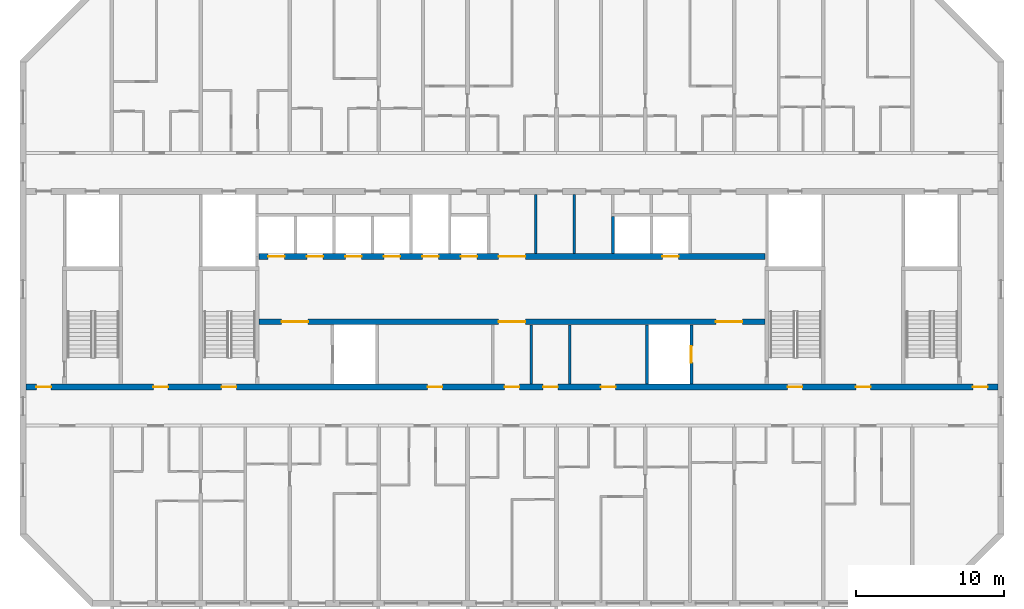
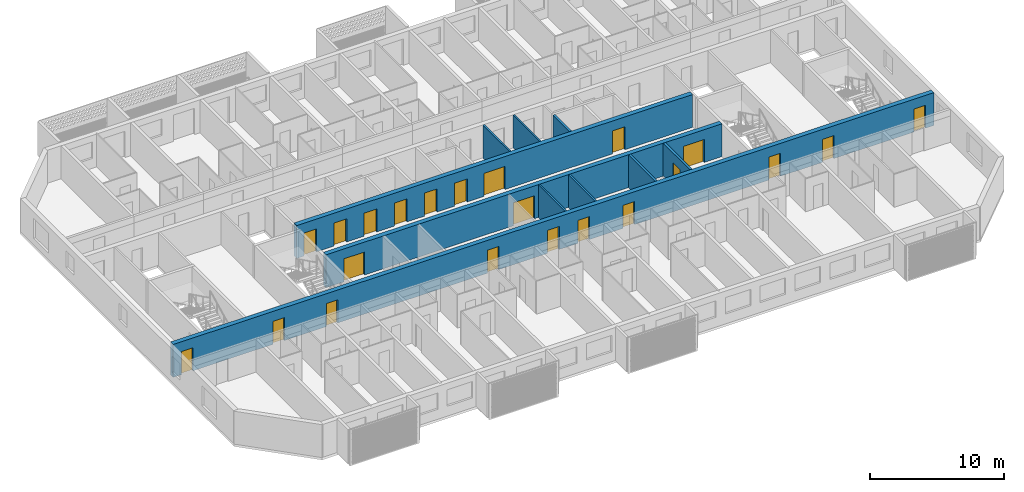
# One storey, part 6 of 27: 22 doors, 10 walls, 22 openings.
"""IFC4 building model written with IfcOpenShell, lengths in metres."""

from ifc_helpers import new_model, si_unit, direction, frame, frame_2d, origin, place, context, subcontext, project, spatial, rectangle, extrude, material, layer, layer_set, type_object, element, fill, save


model = new_model("IFC4")

# Units and contexts
model_context = context("Model", 3, precision=1e-05, world=origin(), true_north=direction((0.0, 1.0)))
body_context = subcontext(model_context, "Body", "Model", "MODEL_VIEW")
ifc_project = project(units=[si_unit("LENGTHUNIT", "METRE"), si_unit("AREAUNIT", "SQUARE_METRE"), si_unit("VOLUMEUNIT", "CUBIC_METRE"), si_unit("PLANEANGLEUNIT", "RADIAN"), si_unit("MASSUNIT", "GRAM", prefix="KILO")], contexts=[model_context])

# Site, building, storey
site_placement = place(None, origin())
site = spatial("IfcSite", under=ifc_project, at=site_placement, CompositionType="ELEMENT")
building_placement = place(site_placement, origin())
building = spatial("IfcBuilding", under=site, at=building_placement, Name="Poui Terraces", CompositionType="ELEMENT")
storey_placement = place(building_placement, frame((0.0, 0.0, 208.199951171875)))
storey = spatial("IfcBuildingStorey", under=building, at=storey_placement, Name="L58", CompositionType="ELEMENT", Elevation=208.199951171875)

# Wall, openings, doors
ifc_material_1 = material(Name="Concrete 50 MPa", Category="concrete")
ifc_layer_1 = layer(ifc_material_1, 0.39990234375)
ifc_layer_set_1 = layer_set([ifc_layer_1], Name="Concrete 50 MPa")
wall_type_1 = type_object("IfcWallType", Name="CORE WALL 400 50 MPA", PredefinedType="SOLIDWALL", material=ifc_layer_set_1)
wall_1_placement = place(storey_placement, frame((33.925048828125, 19.0, 0.0), z_axis=(0.0, 0.0, 1.0), x_axis=(1.0, 0.0, 0.0)))
wall_1 = element("IfcWall", 1, at=wall_1_placement, inside=storey, type_object=wall_type_1, Name="CORE WALL", PredefinedType="SOLIDWALL", context=body_context, shape_type="SweptSolid", body=[
    extrude(rectangle(XDim=34.14990234375, YDim=0.39990234375, at=frame_2d((17.074951171875, 0.0))), origin(), (0.0, 0.0, 1.0), 3.0),
])
opening_1_placement = place(wall_1_placement, frame((16.175048828125, 0.0, 0.0)))
opening_1 = element("IfcOpeningElement", 2, at=opening_1_placement, cuts=wall_1, Name="Opening FDD60", PredefinedType="OPENING", context=body_context, shape_type="SweptSolid", body=[
    extrude(rectangle(XDim=1.800048828125, YDim=2.10009765625, at=frame_2d((0.89990234375, 1.050048828125))), frame((0.0, 0.2099609375, 0.0), z_axis=(0.0, -1.0, 0.0), x_axis=(1.0, 0.0, 0.0)), (0.0, 0.0, 1.0), 0.419921875),
])
opening_2_placement = place(wall_1_placement, frame((1.52490234375, 0.0, 0.0)))
opening_2 = element("IfcOpeningElement", 3, at=opening_2_placement, cuts=wall_1, Name="Opening FDD60", PredefinedType="OPENING", context=body_context, shape_type="SweptSolid", body=[
    extrude(rectangle(XDim=1.800048828125, YDim=2.10009765625, at=frame_2d((0.89990234375, 1.050048828125))), frame((0.0, 0.2099609375, 0.0), z_axis=(0.0, -1.0, 0.0), x_axis=(1.0, 0.0, 0.0)), (0.0, 0.0, 1.0), 0.419921875),
])
opening_3_placement = place(wall_1_placement, frame((30.824951171875, 0.0, 0.0)))
opening_3 = element("IfcOpeningElement", 4, at=opening_3_placement, cuts=wall_1, Name="Opening FDD60", PredefinedType="OPENING", context=body_context, shape_type="SweptSolid", body=[
    extrude(rectangle(XDim=1.800048828125, YDim=2.10009765625, at=frame_2d((0.89990234375, 1.050048828125))), frame((0.0, 0.2099609375, 0.0), z_axis=(0.0, -1.0, 0.0), x_axis=(1.0, 0.0, 0.0)), (0.0, 0.0, 1.0), 0.419921875),
])
ifc_material_2 = material(Name="Steel fire door", Category="steel")
door_type_1 = type_object("IfcDoorType", Name="DOUBLE LOBBY FIRE DOOR 1800 X 2100", OperationType="DOUBLE_DOOR_SINGLE_SWING", PredefinedType="DOOR", material=ifc_material_2)
door_1_placement = place(opening_1_placement, frame((1.800048828125, 0.0, 0.0), z_axis=(0.0, 0.0, 1.0), x_axis=(-1.0, 0.0, 0.0)))
door_1 = element("IfcDoor", 5, at=door_1_placement, inside=storey, type_object=door_type_1, Name="DOUBLE LOBBY FIRE DOOR 107", OperationType="DOUBLE_DOOR_SINGLE_SWING", OverallHeight=2.10009765625, OverallWidth=1.800048828125, PredefinedType="DOOR", context=body_context, shape_type="SweptSolid", body=[
    extrude(rectangle(XDim=1.800048828125, YDim=2.10009765625, at=frame_2d((0.89990234375, 1.050048828125))), frame((0.0, 0.02490234375, 0.0), z_axis=(0.0, -1.0, 0.0), x_axis=(1.0, 0.0, 0.0)), (0.0, 0.0, 1.0), 0.050048828125),
])
fill(opening_1, door_1)
door_2_placement = place(opening_2_placement, origin())
door_2 = element("IfcDoor", 6, at=door_2_placement, inside=storey, type_object=door_type_1, Name="DOUBLE LOBBY FIRE DOOR 109", OperationType="DOUBLE_DOOR_SINGLE_SWING", OverallHeight=2.10009765625, OverallWidth=1.800048828125, PredefinedType="DOOR", context=body_context, shape_type="SweptSolid", body=[
    extrude(rectangle(XDim=1.800048828125, YDim=2.10009765625, at=frame_2d((0.89990234375, 1.050048828125))), frame((0.0, 0.02490234375, 0.0), z_axis=(0.0, -1.0, 0.0), x_axis=(1.0, 0.0, 0.0)), (0.0, 0.0, 1.0), 0.050048828125),
])
fill(opening_2, door_2)
door_3_placement = place(opening_3_placement, origin())
door_3 = element("IfcDoor", 7, at=door_3_placement, inside=storey, type_object=door_type_1, Name="DOUBLE LOBBY FIRE DOOR 116", OperationType="DOUBLE_DOOR_SINGLE_SWING", OverallHeight=2.10009765625, OverallWidth=1.800048828125, PredefinedType="DOOR", context=body_context, shape_type="SweptSolid", body=[
    extrude(rectangle(XDim=1.800048828125, YDim=2.10009765625, at=frame_2d((0.89990234375, 1.050048828125))), frame((0.0, 0.02490234375, 0.0), z_axis=(0.0, -1.0, 0.0), x_axis=(1.0, 0.0, 0.0)), (0.0, 0.0, 1.0), 0.050048828125),
])
fill(opening_3, door_3)

wall_2_placement = place(storey_placement, frame((33.925048828125, 23.39990234375, 0.0), z_axis=(0.0, 0.0, 1.0), x_axis=(1.0, 0.0, 0.0)))
wall_2 = element("IfcWall", 8, at=wall_2_placement, inside=storey, type_object=wall_type_1, Name="CORE WALL", PredefinedType="SOLIDWALL", context=body_context, shape_type="SweptSolid", body=[
    extrude(rectangle(XDim=34.14990234375, YDim=0.39990234375, at=frame_2d((17.074951171875, 0.0))), origin(), (0.0, 0.0, 1.0), 3.0),
])
opening_4_placement = place(wall_2_placement, frame((16.175048828125, 0.0, 0.0)))
opening_4 = element("IfcOpeningElement", 9, at=opening_4_placement, cuts=wall_2, Name="Opening FDD60", PredefinedType="OPENING", context=body_context, shape_type="SweptSolid", body=[
    extrude(rectangle(XDim=1.800048828125, YDim=2.10009765625, at=frame_2d((0.89990234375, 1.050048828125))), frame((0.0, 0.2099609375, 0.0), z_axis=(0.0, -1.0, 0.0), x_axis=(1.0, 0.0, 0.0)), (0.0, 0.0, 1.0), 0.419921875),
])
opening_5_placement = place(wall_2_placement, frame((0.625, 0.0, 0.0)))
opening_5 = element("IfcOpeningElement", 10, at=opening_5_placement, cuts=wall_2, Name="Opening LD", PredefinedType="OPENING", context=body_context, shape_type="SweptSolid", body=[
    extrude(rectangle(XDim=1.10009765625, YDim=2.10009765625, at=frame_2d((0.550048828125, 1.050048828125))), frame((0.0, 0.2099609375, 0.0), z_axis=(0.0, -1.0, 0.0), x_axis=(1.0, 0.0, 0.0)), (0.0, 0.0, 1.0), 0.419921875),
])
opening_6_placement = place(wall_2_placement, frame((3.22509765625, 0.0, 0.0)))
opening_6 = element("IfcOpeningElement", 11, at=opening_6_placement, cuts=wall_2, Name="Opening LD", PredefinedType="OPENING", context=body_context, shape_type="SweptSolid", body=[
    extrude(rectangle(XDim=1.10009765625, YDim=2.10009765625, at=frame_2d((0.550048828125, 1.050048828125))), frame((0.0, 0.2099609375, 0.0), z_axis=(0.0, -1.0, 0.0), x_axis=(1.0, 0.0, 0.0)), (0.0, 0.0, 1.0), 0.419921875),
])
opening_7_placement = place(wall_2_placement, frame((5.824951171875, 0.0, 0.0)))
opening_7 = element("IfcOpeningElement", 12, at=opening_7_placement, cuts=wall_2, Name="Opening LD", PredefinedType="OPENING", context=body_context, shape_type="SweptSolid", body=[
    extrude(rectangle(XDim=1.10009765625, YDim=2.10009765625, at=frame_2d((0.550048828125, 1.050048828125))), frame((0.0, 0.2099609375, 0.0), z_axis=(0.0, -1.0, 0.0), x_axis=(1.0, 0.0, 0.0)), (0.0, 0.0, 1.0), 0.419921875),
])
opening_8_placement = place(wall_2_placement, frame((8.425048828125, 0.0, 0.0)))
opening_8 = element("IfcOpeningElement", 13, at=opening_8_placement, cuts=wall_2, Name="Opening LD", PredefinedType="OPENING", context=body_context, shape_type="SweptSolid", body=[
    extrude(rectangle(XDim=1.10009765625, YDim=2.10009765625, at=frame_2d((0.550048828125, 1.050048828125))), frame((0.0, 0.2099609375, 0.0), z_axis=(0.0, -1.0, 0.0), x_axis=(1.0, 0.0, 0.0)), (0.0, 0.0, 1.0), 0.419921875),
])
opening_9_placement = place(wall_2_placement, frame((11.02490234375, 0.0, 0.0)))
opening_9 = element("IfcOpeningElement", 14, at=opening_9_placement, cuts=wall_2, Name="Opening LD", PredefinedType="OPENING", context=body_context, shape_type="SweptSolid", body=[
    extrude(rectangle(XDim=1.10009765625, YDim=2.10009765625, at=frame_2d((0.550048828125, 1.050048828125))), frame((0.0, 0.2099609375, 0.0), z_axis=(0.0, -1.0, 0.0), x_axis=(1.0, 0.0, 0.0)), (0.0, 0.0, 1.0), 0.419921875),
])
opening_10_placement = place(wall_2_placement, frame((13.625, 0.0, 0.0)))
opening_10 = element("IfcOpeningElement", 15, at=opening_10_placement, cuts=wall_2, Name="Opening LD", PredefinedType="OPENING", context=body_context, shape_type="SweptSolid", body=[
    extrude(rectangle(XDim=1.10009765625, YDim=2.10009765625, at=frame_2d((0.550048828125, 1.050048828125))), frame((0.0, 0.2099609375, 0.0), z_axis=(0.0, -1.0, 0.0), x_axis=(1.0, 0.0, 0.0)), (0.0, 0.0, 1.0), 0.419921875),
])
opening_11_placement = place(wall_2_placement, frame((27.22509765625, 0.0, 0.0)))
opening_11 = element("IfcOpeningElement", 16, at=opening_11_placement, cuts=wall_2, Name="Opening LD", PredefinedType="OPENING", context=body_context, shape_type="SweptSolid", body=[
    extrude(rectangle(XDim=1.10009765625, YDim=2.10009765625, at=frame_2d((0.550048828125, 1.050048828125))), frame((0.0, 0.2099609375, 0.0), z_axis=(0.0, -1.0, 0.0), x_axis=(1.0, 0.0, 0.0)), (0.0, 0.0, 1.0), 0.419921875),
])
door_4_placement = place(opening_4_placement, origin())
door_4 = element("IfcDoor", 17, at=door_4_placement, inside=storey, type_object=door_type_1, Name="DOUBLE LOBBY FIRE DOOR 106", OperationType="DOUBLE_DOOR_SINGLE_SWING", OverallHeight=2.10009765625, OverallWidth=1.800048828125, PredefinedType="DOOR", context=body_context, shape_type="SweptSolid", body=[
    extrude(rectangle(XDim=1.800048828125, YDim=2.10009765625, at=frame_2d((0.89990234375, 1.050048828125))), frame((0.0, 0.02490234375, 0.0), z_axis=(0.0, -1.0, 0.0), x_axis=(1.0, 0.0, 0.0)), (0.0, 0.0, 1.0), 0.050048828125),
])
fill(opening_4, door_4)
ifc_material_3 = material(Name="Stainless steel sliding door", Category="steel")
door_type_2 = type_object("IfcDoorType", Name="LIFT LANDING DOOR 1100 X 2100", OperationType="DOUBLE_DOOR_SLIDING", PredefinedType="DOOR", material=ifc_material_3)
door_5_placement = place(opening_5_placement, origin())
door_5 = element("IfcDoor", 18, at=door_5_placement, inside=storey, type_object=door_type_2, Name="LANDING DOOR", OperationType="DOUBLE_DOOR_SLIDING", OverallHeight=2.10009765625, OverallWidth=1.10009765625, PredefinedType="DOOR", context=body_context, shape_type="SweptSolid", body=[
    extrude(rectangle(XDim=1.10009765625, YDim=2.10009765625, at=frame_2d((0.550048828125, 1.050048828125))), frame((0.0, 0.02490234375, 0.0), z_axis=(0.0, -1.0, 0.0), x_axis=(1.0, 0.0, 0.0)), (0.0, 0.0, 1.0), 0.050048828125),
])
fill(opening_5, door_5)
door_6_placement = place(opening_6_placement, origin())
door_6 = element("IfcDoor", 19, at=door_6_placement, inside=storey, type_object=door_type_2, Name="LANDING DOOR", OperationType="DOUBLE_DOOR_SLIDING", OverallHeight=2.10009765625, OverallWidth=1.10009765625, PredefinedType="DOOR", context=body_context, shape_type="SweptSolid", body=[
    extrude(rectangle(XDim=1.10009765625, YDim=2.10009765625, at=frame_2d((0.550048828125, 1.050048828125))), frame((0.0, 0.02490234375, 0.0), z_axis=(0.0, -1.0, 0.0), x_axis=(1.0, 0.0, 0.0)), (0.0, 0.0, 1.0), 0.050048828125),
])
fill(opening_6, door_6)
door_7_placement = place(opening_7_placement, origin())
door_7 = element("IfcDoor", 20, at=door_7_placement, inside=storey, type_object=door_type_2, Name="LANDING DOOR", OperationType="DOUBLE_DOOR_SLIDING", OverallHeight=2.10009765625, OverallWidth=1.10009765625, PredefinedType="DOOR", context=body_context, shape_type="SweptSolid", body=[
    extrude(rectangle(XDim=1.10009765625, YDim=2.10009765625, at=frame_2d((0.550048828125, 1.050048828125))), frame((0.0, 0.02490234375, 0.0), z_axis=(0.0, -1.0, 0.0), x_axis=(1.0, 0.0, 0.0)), (0.0, 0.0, 1.0), 0.050048828125),
])
fill(opening_7, door_7)
door_8_placement = place(opening_8_placement, origin())
door_8 = element("IfcDoor", 21, at=door_8_placement, inside=storey, type_object=door_type_2, Name="LANDING DOOR", OperationType="DOUBLE_DOOR_SLIDING", OverallHeight=2.10009765625, OverallWidth=1.10009765625, PredefinedType="DOOR", context=body_context, shape_type="SweptSolid", body=[
    extrude(rectangle(XDim=1.10009765625, YDim=2.10009765625, at=frame_2d((0.550048828125, 1.050048828125))), frame((0.0, 0.02490234375, 0.0), z_axis=(0.0, -1.0, 0.0), x_axis=(1.0, 0.0, 0.0)), (0.0, 0.0, 1.0), 0.050048828125),
])
fill(opening_8, door_8)
door_9_placement = place(opening_9_placement, origin())
door_9 = element("IfcDoor", 22, at=door_9_placement, inside=storey, type_object=door_type_2, Name="LANDING DOOR", OperationType="DOUBLE_DOOR_SLIDING", OverallHeight=2.10009765625, OverallWidth=1.10009765625, PredefinedType="DOOR", context=body_context, shape_type="SweptSolid", body=[
    extrude(rectangle(XDim=1.10009765625, YDim=2.10009765625, at=frame_2d((0.550048828125, 1.050048828125))), frame((0.0, 0.02490234375, 0.0), z_axis=(0.0, -1.0, 0.0), x_axis=(1.0, 0.0, 0.0)), (0.0, 0.0, 1.0), 0.050048828125),
])
fill(opening_9, door_9)
door_10_placement = place(opening_10_placement, origin())
door_10 = element("IfcDoor", 23, at=door_10_placement, inside=storey, type_object=door_type_2, Name="LANDING DOOR", OperationType="DOUBLE_DOOR_SLIDING", OverallHeight=2.10009765625, OverallWidth=1.10009765625, PredefinedType="DOOR", context=body_context, shape_type="SweptSolid", body=[
    extrude(rectangle(XDim=1.10009765625, YDim=2.10009765625, at=frame_2d((0.550048828125, 1.050048828125))), frame((0.0, 0.02490234375, 0.0), z_axis=(0.0, -1.0, 0.0), x_axis=(1.0, 0.0, 0.0)), (0.0, 0.0, 1.0), 0.050048828125),
])
fill(opening_10, door_10)
door_11_placement = place(opening_11_placement, origin())
door_11 = element("IfcDoor", 24, at=door_11_placement, inside=storey, type_object=door_type_2, Name="LANDING DOOR", OperationType="DOUBLE_DOOR_SLIDING", OverallHeight=2.10009765625, OverallWidth=1.10009765625, PredefinedType="DOOR", context=body_context, shape_type="SweptSolid", body=[
    extrude(rectangle(XDim=1.10009765625, YDim=2.10009765625, at=frame_2d((0.550048828125, 1.050048828125))), frame((0.0, 0.02490234375, 0.0), z_axis=(0.0, -1.0, 0.0), x_axis=(1.0, 0.0, 0.0)), (0.0, 0.0, 1.0), 0.050048828125),
])
fill(opening_11, door_11)

# Walls
ifc_material_4 = material(Name="Fire-rated plasterboard wall")
ifc_layer_2 = layer(ifc_material_4, 0.14990234375)
ifc_layer_set_2 = layer_set([ifc_layer_2], Name="Fire-rated plasterboard wall")
wall_type_2 = type_object("IfcWallType", Name="CORRIDOR WALL 150", PredefinedType="PARTITIONING", material=ifc_layer_set_2)
for number, where, z_axis, x_axis, name in (
    (25, (52.300048828125, 14.81005859375, 0.0), (0.0, 0.0, 1.0), (0.0, 1.0, 0.0), "CORRIDOR WALL 150"),
    (26, (52.60009765625, 23.610107421875, 0.0), (0.0, 0.0, 1.0), (0.0, 1.0, 0.0), "CORRIDOR WALL 150"),
):
    element("IfcWall", number, at=place(storey_placement, frame(where, z_axis=z_axis, x_axis=x_axis)), inside=storey, type_object=wall_type_2, Name=name, PredefinedType="PARTITIONING", context=body_context, shape_type="SweptSolid", body=[
        extrude(rectangle(XDim=3.97998046875, YDim=0.14990234375, at=frame_2d((1.989990234375, 0.0))), origin(), (0.0, 0.0, 1.0), 3.0),
    ])
ifc_material_5 = material(Name="Plasterboard partition")
ifc_layer_3 = layer(ifc_material_5, 0.14990234375)
ifc_layer_set_3 = layer_set([ifc_layer_3], Name="Plasterboard partition")
wall_type_3 = type_object("IfcWallType", Name="PARTITION WALL 150", PredefinedType="PARTITIONING", material=ifc_layer_set_3)
for number, where, z_axis, x_axis, name in (
    (27, (54.89990234375, 14.81005859375, 0.0), (0.0, 0.0, 1.0), (0.0, 1.0, 0.0), "PARTITION WALL 150"),
    (28, (55.199951171875, 23.610107421875, 0.0), (0.0, 0.0, 1.0), (0.0, 1.0, 0.0), "PARTITION WALL 150"),
):
    element("IfcWall", number, at=place(storey_placement, frame(where, z_axis=z_axis, x_axis=x_axis)), inside=storey, type_object=wall_type_3, Name=name, PredefinedType="PARTITIONING", context=body_context, shape_type="SweptSolid", body=[
        extrude(rectangle(XDim=3.97998046875, YDim=0.14990234375, at=frame_2d((1.989990234375, 0.0))), origin(), (0.0, 0.0, 1.0), 3.0),
    ])
ifc_material_6 = material(Name="Fire-rated masonry shaft wall", Category="masonry")
ifc_layer_4 = layer(ifc_material_6, 0.199951171875)
ifc_layer_set_4 = layer_set([ifc_layer_4], Name="Fire-rated masonry shaft wall")
wall_type_4 = type_object("IfcWallType", Name="SHAFT WALL 200", PredefinedType="PARTITIONING", material=ifc_layer_set_4)
wall_3_placement = place(storey_placement, frame((57.800048828125, 23.610107421875, 0.0), z_axis=(0.0, 0.0, 1.0), x_axis=(0.0, 1.0, 0.0)))
element("IfcWall", 29, at=wall_3_placement, inside=storey, type_object=wall_type_4, Name="SHAFT WALL 200", PredefinedType="PARTITIONING", context=body_context, shape_type="SweptSolid", body=[
    extrude(rectangle(XDim=2.489990234375, YDim=0.199951171875, at=frame_2d((1.2451171875, 0.0))), origin(), (0.0, 0.0, 1.0), 3.0),
])
wall_4_placement = place(storey_placement, frame((60.10009765625, 14.81005859375, 0.0), z_axis=(0.0, 0.0, 1.0), x_axis=(0.0, 1.0, 0.0)))
element("IfcWall", 30, at=wall_4_placement, inside=storey, type_object=wall_type_4, Name="SHAFT WALL 200", PredefinedType="PARTITIONING", context=body_context, shape_type="SweptSolid", body=[
    extrude(rectangle(XDim=3.97998046875, YDim=0.199951171875, at=frame_2d((1.989990234375, 0.0))), origin(), (0.0, 0.0, 1.0), 3.0),
])

# Wall, opening, door
wall_5_placement = place(storey_placement, frame((63.10009765625, 14.81005859375, 0.0), z_axis=(0.0, 0.0, 1.0), x_axis=(0.0, 1.0, 0.0)))
wall_5 = element("IfcWall", 31, at=wall_5_placement, inside=storey, type_object=wall_type_4, Name="SHAFT WALL 200", PredefinedType="PARTITIONING", context=body_context, shape_type="SweptSolid", body=[
    extrude(rectangle(XDim=3.97998046875, YDim=0.199951171875, at=frame_2d((1.989990234375, 0.0))), origin(), (0.0, 0.0, 1.0), 3.0),
])
opening_12_placement = place(wall_5_placement, frame((1.43994140625, 0.0, 0.0)))
opening_12 = element("IfcOpeningElement", 32, at=opening_12_placement, cuts=wall_5, Name="Opening LD", PredefinedType="OPENING", context=body_context, shape_type="SweptSolid", body=[
    extrude(rectangle(XDim=1.10009765625, YDim=2.10009765625, at=frame_2d((0.550048828125, 1.050048828125))), frame((0.0, 0.10986328125, 0.0), z_axis=(0.0, -1.0, 0.0), x_axis=(1.0, 0.0, 0.0)), (0.0, 0.0, 1.0), 0.219970703125),
])
door_12_placement = place(opening_12_placement, origin())
door_12 = element("IfcDoor", 33, at=door_12_placement, inside=storey, type_object=door_type_2, Name="LANDING DOOR", OperationType="DOUBLE_DOOR_SLIDING", OverallHeight=2.10009765625, OverallWidth=1.10009765625, PredefinedType="DOOR", context=body_context, shape_type="SweptSolid", body=[
    extrude(rectangle(XDim=1.10009765625, YDim=2.10009765625, at=frame_2d((0.550048828125, 1.050048828125))), frame((0.0, 0.02490234375, 0.0), z_axis=(0.0, -1.0, 0.0), x_axis=(1.0, 0.0, 0.0)), (0.0, 0.0, 1.0), 0.050048828125),
])
fill(opening_12, door_12)

# Wall, openings, doors
ifc_layer_5 = layer(ifc_material_1, 0.39990234375)
ifc_layer_set_5 = layer_set([ifc_layer_5], Name="Concrete 50 MPa")
wall_type_5 = type_object("IfcWallType", Name="SPINE WALL 400 50 MPA", PredefinedType="SOLIDWALL", material=ifc_layer_set_5)
wall_6_placement = place(storey_placement, frame((18.199951171875, 14.60009765625, 0.0), z_axis=(0.0, 0.0, 1.0), x_axis=(1.0, 0.0, 0.0)))
wall_6 = element("IfcWall", 34, at=wall_6_placement, inside=storey, type_object=wall_type_5, Name="SPINE WALL", PredefinedType="SOLIDWALL", context=body_context, shape_type="SweptSolid", body=[
    extrude(rectangle(XDim=65.60009765625, YDim=0.39990234375, at=frame_2d((32.800048828125, 0.0))), origin(), (0.0, 0.0, 1.0), 3.0),
])
opening_13_placement = place(wall_6_placement, frame((0.699951171875, 0.0, 0.0)))
opening_13 = element("IfcOpeningElement", 35, at=opening_13_placement, cuts=wall_6, Name="Opening FDL", PredefinedType="OPENING", context=body_context, shape_type="SweptSolid", body=[
    extrude(rectangle(XDim=1.0, YDim=2.10009765625, at=frame_2d((0.5, 1.050048828125))), frame((0.0, 0.2099609375, 0.0), z_axis=(0.0, -1.0, 0.0), x_axis=(1.0, 0.0, 0.0)), (0.0, 0.0, 1.0), 0.419921875),
])
opening_14_placement = place(wall_6_placement, frame((8.60009765625, 0.0, 0.0)))
opening_14 = element("IfcOpeningElement", 36, at=opening_14_placement, cuts=wall_6, Name="Opening D100", PredefinedType="OPENING", context=body_context, shape_type="SweptSolid", body=[
    extrude(rectangle(XDim=1.0, YDim=2.10009765625, at=frame_2d((0.5, 1.050048828125))), frame((0.0, 0.2099609375, 0.0), z_axis=(0.0, -1.0, 0.0), x_axis=(1.0, 0.0, 0.0)), (0.0, 0.0, 1.0), 0.419921875),
])
opening_15_placement = place(wall_6_placement, frame((13.199951171875, 0.0, 0.0)))
opening_15 = element("IfcOpeningElement", 37, at=opening_15_placement, cuts=wall_6, Name="Opening FD60S", PredefinedType="OPENING", context=body_context, shape_type="SweptSolid", body=[
    extrude(rectangle(XDim=1.0, YDim=2.10009765625, at=frame_2d((0.5, 1.050048828125))), frame((0.0, 0.2099609375, 0.0), z_axis=(0.0, -1.0, 0.0), x_axis=(1.0, 0.0, 0.0)), (0.0, 0.0, 1.0), 0.419921875),
])
opening_16_placement = place(wall_6_placement, frame((27.10009765625, 0.0, 0.0)))
opening_16 = element("IfcOpeningElement", 38, at=opening_16_placement, cuts=wall_6, Name="Opening FD60", PredefinedType="OPENING", context=body_context, shape_type="SweptSolid", body=[
    extrude(rectangle(XDim=1.0, YDim=2.10009765625, at=frame_2d((0.5, 1.050048828125))), frame((0.0, 0.2099609375, 0.0), z_axis=(0.0, -1.0, 0.0), x_axis=(1.0, 0.0, 0.0)), (0.0, 0.0, 1.0), 0.419921875),
])
opening_17_placement = place(wall_6_placement, frame((32.300048828125, 0.0, 0.0)))
opening_17 = element("IfcOpeningElement", 39, at=opening_17_placement, cuts=wall_6, Name="Opening FDL", PredefinedType="OPENING", context=body_context, shape_type="SweptSolid", body=[
    extrude(rectangle(XDim=1.0, YDim=2.10009765625, at=frame_2d((0.5, 1.050048828125))), frame((0.0, 0.2099609375, 0.0), z_axis=(0.0, -1.0, 0.0), x_axis=(1.0, 0.0, 0.0)), (0.0, 0.0, 1.0), 0.419921875),
])
opening_18_placement = place(wall_6_placement, frame((34.89990234375, 0.0, 0.0)))
opening_18 = element("IfcOpeningElement", 40, at=opening_18_placement, cuts=wall_6, Name="Opening FD60", PredefinedType="OPENING", context=body_context, shape_type="SweptSolid", body=[
    extrude(rectangle(XDim=1.0, YDim=2.10009765625, at=frame_2d((0.5, 1.050048828125))), frame((0.0, 0.2099609375, 0.0), z_axis=(0.0, -1.0, 0.0), x_axis=(1.0, 0.0, 0.0)), (0.0, 0.0, 1.0), 0.419921875),
])
opening_19_placement = place(wall_6_placement, frame((38.800048828125, 0.0, 0.0)))
opening_19 = element("IfcOpeningElement", 41, at=opening_19_placement, cuts=wall_6, Name="Opening FD60", PredefinedType="OPENING", context=body_context, shape_type="SweptSolid", body=[
    extrude(rectangle(XDim=1.0, YDim=2.10009765625, at=frame_2d((0.5, 1.050048828125))), frame((0.0, 0.2099609375, 0.0), z_axis=(0.0, -1.0, 0.0), x_axis=(1.0, 0.0, 0.0)), (0.0, 0.0, 1.0), 0.419921875),
])
opening_20_placement = place(wall_6_placement, frame((51.39990234375, 0.0, 0.0)))
opening_20 = element("IfcOpeningElement", 42, at=opening_20_placement, cuts=wall_6, Name="Opening FD60S", PredefinedType="OPENING", context=body_context, shape_type="SweptSolid", body=[
    extrude(rectangle(XDim=1.0, YDim=2.10009765625, at=frame_2d((0.5, 1.050048828125))), frame((0.0, 0.2099609375, 0.0), z_axis=(0.0, -1.0, 0.0), x_axis=(1.0, 0.0, 0.0)), (0.0, 0.0, 1.0), 0.419921875),
])
opening_21_placement = place(wall_6_placement, frame((56.0, 0.0, 0.0)))
opening_21 = element("IfcOpeningElement", 43, at=opening_21_placement, cuts=wall_6, Name="Opening D100", PredefinedType="OPENING", context=body_context, shape_type="SweptSolid", body=[
    extrude(rectangle(XDim=1.0, YDim=2.10009765625, at=frame_2d((0.5, 1.050048828125))), frame((0.0, 0.2099609375, 0.0), z_axis=(0.0, -1.0, 0.0), x_axis=(1.0, 0.0, 0.0)), (0.0, 0.0, 1.0), 0.419921875),
])
opening_22_placement = place(wall_6_placement, frame((63.89990234375, 0.0, 0.0)))
opening_22 = element("IfcOpeningElement", 44, at=opening_22_placement, cuts=wall_6, Name="Opening FDL", PredefinedType="OPENING", context=body_context, shape_type="SweptSolid", body=[
    extrude(rectangle(XDim=1.0, YDim=2.10009765625, at=frame_2d((0.5, 1.050048828125))), frame((0.0, 0.2099609375, 0.0), z_axis=(0.0, -1.0, 0.0), x_axis=(1.0, 0.0, 0.0)), (0.0, 0.0, 1.0), 0.419921875),
])
ifc_material_7 = material(Name="Solid core timber door", Category="wood")
door_type_3 = type_object("IfcDoorType", Name="ACCESSIBLE INTERNAL DOOR 1000 X 2100", OperationType="NOTDEFINED", PredefinedType="DOOR", material=ifc_material_7)
door_13_placement = place(opening_14_placement, frame((1.0, 0.0, 0.0), z_axis=(0.0, 0.0, 1.0), x_axis=(-1.0, 0.0, 0.0)))
door_13 = element("IfcDoor", 45, at=door_13_placement, inside=storey, type_object=door_type_3, Name="ACCESSIBLE INTERNAL DOOR 017", OperationType="SINGLE_SWING_RIGHT", OverallHeight=2.10009765625, OverallWidth=1.0, PredefinedType="DOOR", context=body_context, shape_type="SweptSolid", body=[
    extrude(rectangle(XDim=1.0, YDim=2.10009765625, at=frame_2d((0.5, 1.050048828125))), frame((0.0, 0.02490234375, 0.0), z_axis=(0.0, -1.0, 0.0), x_axis=(1.0, 0.0, 0.0)), (0.0, 0.0, 1.0), 0.050048828125),
])
fill(opening_14, door_13)
door_14_placement = place(opening_21_placement, frame((1.0, 0.0, 0.0), z_axis=(0.0, 0.0, 1.0), x_axis=(-1.0, 0.0, 0.0)))
door_14 = element("IfcDoor", 46, at=door_14_placement, inside=storey, type_object=door_type_3, Name="ACCESSIBLE INTERNAL DOOR 024", OperationType="SINGLE_SWING_LEFT", OverallHeight=2.10009765625, OverallWidth=1.0, PredefinedType="DOOR", context=body_context, shape_type="SweptSolid", body=[
    extrude(rectangle(XDim=1.0, YDim=2.10009765625, at=frame_2d((0.5, 1.050048828125))), frame((0.0, 0.02490234375, 0.0), z_axis=(0.0, -1.0, 0.0), x_axis=(1.0, 0.0, 0.0)), (0.0, 0.0, 1.0), 0.050048828125),
])
fill(opening_21, door_14)
door_type_4 = type_object("IfcDoorType", Name="LOBBY FIRE DOOR 1000 X 2100", OperationType="NOTDEFINED", PredefinedType="DOOR", material=ifc_material_2)
door_15_placement = place(opening_13_placement, frame((1.0, 0.0, 0.0), z_axis=(0.0, 0.0, 1.0), x_axis=(-1.0, 0.0, 0.0)))
door_15 = element("IfcDoor", 47, at=door_15_placement, inside=storey, type_object=door_type_4, Name="LOBBY FIRE DOOR 016", OperationType="SINGLE_SWING_RIGHT", OverallHeight=2.10009765625, OverallWidth=1.0, PredefinedType="DOOR", context=body_context, shape_type="SweptSolid", body=[
    extrude(rectangle(XDim=1.0, YDim=2.10009765625, at=frame_2d((0.5, 1.050048828125))), frame((0.0, 0.02490234375, 0.0), z_axis=(0.0, -1.0, 0.0), x_axis=(1.0, 0.0, 0.0)), (0.0, 0.0, 1.0), 0.050048828125),
])
fill(opening_13, door_15)
door_16_placement = place(opening_17_placement, frame((1.0, 0.0, 0.0), z_axis=(0.0, 0.0, 1.0), x_axis=(-1.0, 0.0, 0.0)))
door_16 = element("IfcDoor", 48, at=door_16_placement, inside=storey, type_object=door_type_4, Name="LOBBY FIRE DOOR 020", OperationType="SINGLE_SWING_LEFT", OverallHeight=2.10009765625, OverallWidth=1.0, PredefinedType="DOOR", context=body_context, shape_type="SweptSolid", body=[
    extrude(rectangle(XDim=1.0, YDim=2.10009765625, at=frame_2d((0.5, 1.050048828125))), frame((0.0, 0.02490234375, 0.0), z_axis=(0.0, -1.0, 0.0), x_axis=(1.0, 0.0, 0.0)), (0.0, 0.0, 1.0), 0.050048828125),
])
fill(opening_17, door_16)
door_17_placement = place(opening_22_placement, frame((1.0, 0.0, 0.0), z_axis=(0.0, 0.0, 1.0), x_axis=(-1.0, 0.0, 0.0)))
door_17 = element("IfcDoor", 49, at=door_17_placement, inside=storey, type_object=door_type_4, Name="LOBBY FIRE DOOR 025", OperationType="SINGLE_SWING_LEFT", OverallHeight=2.10009765625, OverallWidth=1.0, PredefinedType="DOOR", context=body_context, shape_type="SweptSolid", body=[
    extrude(rectangle(XDim=1.0, YDim=2.10009765625, at=frame_2d((0.5, 1.050048828125))), frame((0.0, 0.02490234375, 0.0), z_axis=(0.0, -1.0, 0.0), x_axis=(1.0, 0.0, 0.0)), (0.0, 0.0, 1.0), 0.050048828125),
])
fill(opening_22, door_17)
door_type_5 = type_object("IfcDoorType", Name="SERVICE ROOM FIRE DOOR 1000 X 2100", OperationType="NOTDEFINED", PredefinedType="DOOR", material=ifc_material_2)
door_18_placement = place(opening_16_placement, frame((1.0, 0.0, 0.0), z_axis=(0.0, 0.0, 1.0), x_axis=(-1.0, 0.0, 0.0)))
door_18 = element("IfcDoor", 50, at=door_18_placement, inside=storey, type_object=door_type_5, Name="SERVICE ROOM FIRE DOOR 019", OperationType="SINGLE_SWING_LEFT", OverallHeight=2.10009765625, OverallWidth=1.0, PredefinedType="DOOR", context=body_context, shape_type="SweptSolid", body=[
    extrude(rectangle(XDim=1.0, YDim=2.10009765625, at=frame_2d((0.5, 1.050048828125))), frame((0.0, 0.02490234375, 0.0), z_axis=(0.0, -1.0, 0.0), x_axis=(1.0, 0.0, 0.0)), (0.0, 0.0, 1.0), 0.050048828125),
])
fill(opening_16, door_18)
door_19_placement = place(opening_18_placement, frame((1.0, 0.0, 0.0), z_axis=(0.0, 0.0, 1.0), x_axis=(-1.0, 0.0, 0.0)))
door_19 = element("IfcDoor", 51, at=door_19_placement, inside=storey, type_object=door_type_5, Name="SERVICE ROOM FIRE DOOR 021", OperationType="SINGLE_SWING_RIGHT", OverallHeight=2.10009765625, OverallWidth=1.0, PredefinedType="DOOR", context=body_context, shape_type="SweptSolid", body=[
    extrude(rectangle(XDim=1.0, YDim=2.10009765625, at=frame_2d((0.5, 1.050048828125))), frame((0.0, 0.02490234375, 0.0), z_axis=(0.0, -1.0, 0.0), x_axis=(1.0, 0.0, 0.0)), (0.0, 0.0, 1.0), 0.050048828125),
])
fill(opening_18, door_19)
door_20_placement = place(opening_19_placement, frame((1.0, 0.0, 0.0), z_axis=(0.0, 0.0, 1.0), x_axis=(-1.0, 0.0, 0.0)))
door_20 = element("IfcDoor", 52, at=door_20_placement, inside=storey, type_object=door_type_5, Name="SERVICE ROOM FIRE DOOR 022", OperationType="SINGLE_SWING_LEFT", OverallHeight=2.10009765625, OverallWidth=1.0, PredefinedType="DOOR", context=body_context, shape_type="SweptSolid", body=[
    extrude(rectangle(XDim=1.0, YDim=2.10009765625, at=frame_2d((0.5, 1.050048828125))), frame((0.0, 0.02490234375, 0.0), z_axis=(0.0, -1.0, 0.0), x_axis=(1.0, 0.0, 0.0)), (0.0, 0.0, 1.0), 0.050048828125),
])
fill(opening_19, door_20)
door_type_6 = type_object("IfcDoorType", Name="STAIR DOOR 1000 X 2100", OperationType="NOTDEFINED", PredefinedType="DOOR", material=ifc_material_2)
door_21_placement = place(opening_15_placement, origin())
door_21 = element("IfcDoor", 53, at=door_21_placement, inside=storey, type_object=door_type_6, Name="STAIR DOOR 018", OperationType="SINGLE_SWING_RIGHT", OverallHeight=2.10009765625, OverallWidth=1.0, PredefinedType="DOOR", context=body_context, shape_type="SweptSolid", body=[
    extrude(rectangle(XDim=1.0, YDim=2.10009765625, at=frame_2d((0.5, 1.050048828125))), frame((0.0, 0.02490234375, 0.0), z_axis=(0.0, -1.0, 0.0), x_axis=(1.0, 0.0, 0.0)), (0.0, 0.0, 1.0), 0.050048828125),
])
fill(opening_15, door_21)
door_22_placement = place(opening_20_placement, origin())
door_22 = element("IfcDoor", 54, at=door_22_placement, inside=storey, type_object=door_type_6, Name="STAIR DOOR 023", OperationType="SINGLE_SWING_RIGHT", OverallHeight=2.10009765625, OverallWidth=1.0, PredefinedType="DOOR", context=body_context, shape_type="SweptSolid", body=[
    extrude(rectangle(XDim=1.0, YDim=2.10009765625, at=frame_2d((0.5, 1.050048828125))), frame((0.0, 0.02490234375, 0.0), z_axis=(0.0, -1.0, 0.0), x_axis=(1.0, 0.0, 0.0)), (0.0, 0.0, 1.0), 0.050048828125),
])
fill(opening_20, door_22)

save(model, "model.ifc")
